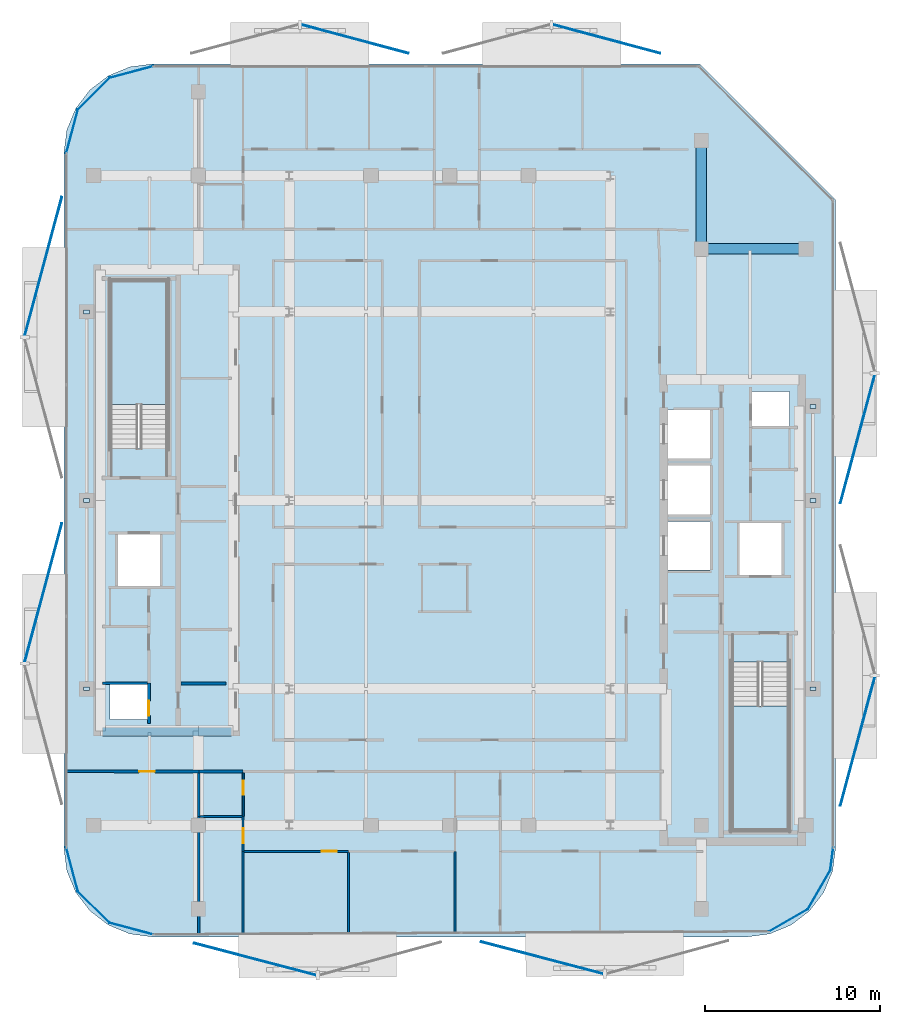
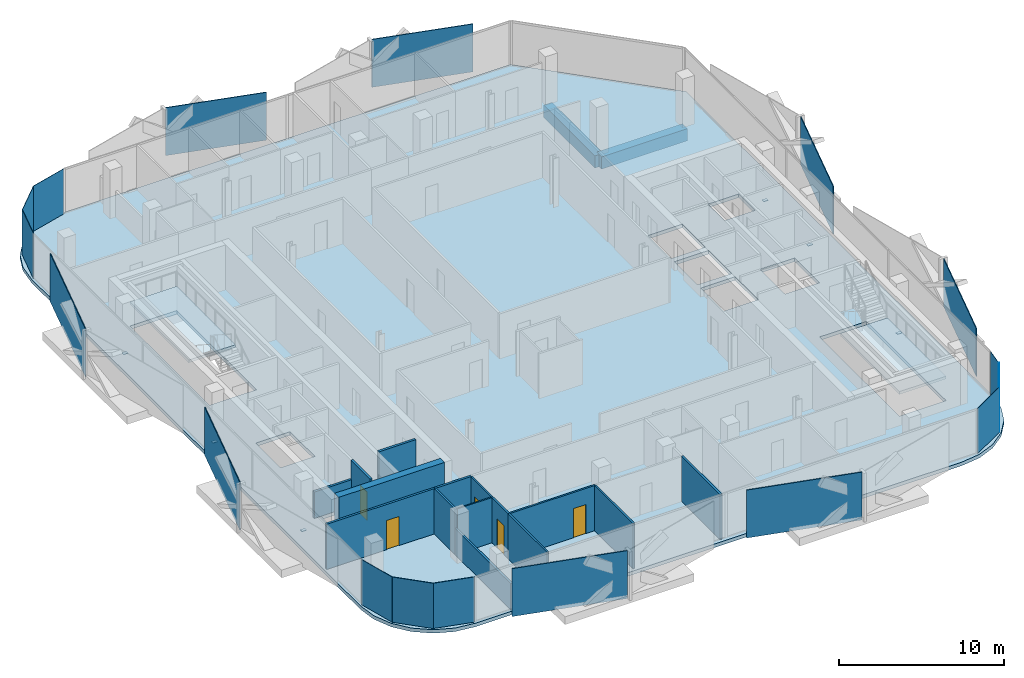
# One storey, part 2 of 16: 23 plates, 15 walls, 5 doors, 3 slabs, 2 beams, 5 openings, 2 elements without a shape of their own.
"""IFC4 building model written with IfcOpenShell, lengths in metres."""

from ifc_helpers import new_model, si_unit, direction, frame, frame_2d, origin, origin_2d, place, context, subcontext, project, spatial, polyline, rectangle, outline, extrude, material, layer, layer_set, material_profile, profile_set, type_object, element, fill, aggregate, save


model = new_model("IFC4")

# Units and contexts
model_context = context("Model", 3, precision=1e-05, world=origin(), true_north=direction((0.0, 1.0)))
body_context = subcontext(model_context, "Body", "Model", "MODEL_VIEW")
ifc_project = project(units=[si_unit("LENGTHUNIT", "METRE"), si_unit("AREAUNIT", "SQUARE_METRE"), si_unit("VOLUMEUNIT", "CUBIC_METRE"), si_unit("PLANEANGLEUNIT", "RADIAN"), si_unit("MASSUNIT", "GRAM", prefix="KILO")], contexts=[model_context])

# Site, building, storey
site_placement = place(None, origin())
site = spatial("IfcSite", under=ifc_project, at=site_placement, CompositionType="ELEMENT")
building_placement = place(site_placement, origin())
building = spatial("IfcBuilding", under=site, at=building_placement, Name="Khairoan Windgate Tower", CompositionType="ELEMENT")
storey_placement = place(building_placement, frame((0.0, 0.0, 258.39990234375)))
storey = spatial("IfcBuildingStorey", under=building, at=storey_placement, Name="L61", CompositionType="ELEMENT", Elevation=258.39990234375)

# Beams
ifc_material_1 = material(Name="Concrete C50/60", Category="concrete")
ifc_material_profile = material_profile(ifc_material_1, rectangle(XDim=0.60009765625, YDim=0.89990234375, at=origin_2d()))
ifc_profile_set = profile_set([ifc_material_profile], Name="Concrete C50/60")
beam_type = type_object("IfcBeamType", Name="Beam B-RC1 RC600x900", PredefinedType="BEAM", material=ifc_profile_set)
beam_1_placement = place(storey_placement, frame((14.39990234375, 14.39990234375, -0.7099609375), z_axis=(1.0, 0.0, 0.0), x_axis=(0.0, 1.0, 0.0)))
element("IfcBeam", 1, at=beam_1_placement, inside=storey, type_object=beam_type, Name="L61 E-W Primary Girder 21", PredefinedType="BEAM", context=body_context, shape_type="SweptSolid", body=[
    extrude(rectangle(XDim=0.60009765625, YDim=0.89990234375, at=origin_2d()), origin(), (0.0, 0.0, 1.0), 6.0),
])
beam_2_placement = place(storey_placement, frame((14.39990234375, 14.39990234375, -0.7099609375), z_axis=(0.0, 1.0, 0.0), x_axis=(-1.0, 0.0, 0.0)))
element("IfcBeam", 2, at=beam_2_placement, inside=storey, type_object=beam_type, Name="L61 N-S Primary Beam 53", PredefinedType="BEAM", context=body_context, shape_type="SweptSolid", body=[
    extrude(rectangle(XDim=0.60009765625, YDim=0.89990234375, at=origin_2d()), origin(), (0.0, 0.0, 1.0), 6.2001953125),
])

# Plates
ifc_material_2 = material(Name="Low-E Solar Control Laminated Glass", Category="glass")
ifc_layer_1 = layer(ifc_material_2, 0.030029296875, Name="Low-E Solar Control Laminated Glass")
ifc_layer_set_1 = layer_set([ifc_layer_1], Name="Low-E Solar Control Laminated Glass")
plate_type_1 = type_object("IfcPlateType", Name="Aerodynamic Wind-Corner Curved Glazing Plate", PredefinedType="USERDEFINED", material=ifc_layer_set_1)
plate_1_placement = place(storey_placement, frame((-18.235107421875, -24.527099609375, 0.0), z_axis=(0.0, 0.0, 1.0), x_axis=(-0.966061211211, 0.258313252067, 0.0)))
element("IfcPlate", 3, at=plate_1_placement, inside=storey, type_object=plate_type_1, Name="L61 Aerodynamic Wind-Corner Curved Glazing Panel 2", ObjectType="GLAZING PANEL", PredefinedType="USERDEFINED", context=body_context, shape_type="SweptSolid", body=[
    extrude(rectangle(XDim=2.6162109375, YDim=0.030029296875, at=origin_2d()), origin(), (0.0, 0.0, 1.0), 3.340087890625),
])
plate_2_placement = place(storey_placement, frame((-20.386962890625, -23.286865234375, 0.0), z_axis=(0.0, 0.0, 1.0), x_axis=(-0.707106781187, 0.707106781187, 0.0)))
element("IfcPlate", 4, at=plate_2_placement, inside=storey, type_object=plate_type_1, Name="L61 Aerodynamic Wind-Corner Curved Glazing Panel 3", ObjectType="GLAZING PANEL", PredefinedType="USERDEFINED", context=body_context, shape_type="SweptSolid", body=[
    extrude(rectangle(XDim=2.606689453125, YDim=0.030029296875, at=origin_2d()), origin(), (0.0, 0.0, 1.0), 3.340087890625),
])
for number, where, z_axis, x_axis, name in (
    (5, (-21.627197265625, -21.135009765625, 0.0), (0.0, 0.0, 1.0), (-0.258313252067, 0.966061211211, 0.0), "L61 Aerodynamic Wind-Corner Curved Glazing Panel 4"),
    (6, (-21.627197265625, 21.135009765625, 0.0), (0.0, 0.0, 1.0), (0.258313252067, 0.966061211211, 0.0), "L61 Aerodynamic Wind-Corner Curved Glazing Panel 6"),
):
    element("IfcPlate", number, at=place(storey_placement, frame(where, z_axis=z_axis, x_axis=x_axis)), inside=storey, type_object=plate_type_1, Name=name, ObjectType="GLAZING PANEL", PredefinedType="USERDEFINED", context=body_context, shape_type="SweptSolid", body=[
        extrude(rectangle(XDim=2.6162109375, YDim=0.030029296875, at=origin_2d()), origin(), (0.0, 0.0, 1.0), 3.340087890625),
    ])
plate_3_placement = place(storey_placement, frame((-20.386962890625, 23.286865234375, 0.0), z_axis=(0.0, 0.0, 1.0), x_axis=(0.707106781187, 0.707106781187, 0.0)))
element("IfcPlate", 7, at=plate_3_placement, inside=storey, type_object=plate_type_1, Name="L61 Aerodynamic Wind-Corner Curved Glazing Panel 7", ObjectType="GLAZING PANEL", PredefinedType="USERDEFINED", context=body_context, shape_type="SweptSolid", body=[
    extrude(rectangle(XDim=2.606689453125, YDim=0.030029296875, at=origin_2d()), origin(), (0.0, 0.0, 1.0), 3.340087890625),
])
plate_4_placement = place(storey_placement, frame((-18.235107421875, 24.527099609375, 0.0), z_axis=(0.0, 0.0, 1.0), x_axis=(0.966061211211, 0.258313252067, 0.0)))
element("IfcPlate", 8, at=plate_4_placement, inside=storey, type_object=plate_type_1, Name="L61 Aerodynamic Wind-Corner Curved Glazing Panel 8", ObjectType="GLAZING PANEL", PredefinedType="USERDEFINED", context=body_context, shape_type="SweptSolid", body=[
    extrude(rectangle(XDim=2.6162109375, YDim=0.030029296875, at=origin_2d()), origin(), (0.0, 0.0, 1.0), 3.340087890625),
])
plate_5_placement = place(storey_placement, frame((21.875, -20.537109375, 0.0), z_axis=(0.0, 0.0, 1.0), x_axis=(-0.13052619222, -0.991444861374, 0.0)))
element("IfcPlate", 9, at=plate_5_placement, inside=storey, type_object=plate_type_1, Name="L61 Aerodynamic Wind-Corner Curved Glazing Panel 12", ObjectType="GLAZING PANEL", PredefinedType="USERDEFINED", context=body_context, shape_type="SweptSolid", body=[
    extrude(rectangle(XDim=1.343994140625, YDim=0.030029296875, at=origin_2d()), origin(), (0.0, 0.0, 1.0), 3.340087890625),
])
for number, where, z_axis, x_axis, name in (
    (10, (21.148193359375, -22.294921875, 0.0), (0.0, 0.0, 1.0), (-0.5, -0.866025403784, 0.0), "L61 Aerodynamic Wind-Corner Curved Glazing Panel 13"),
    (11, (19.39501953125, -24.048095703125, 0.0), (0.0, 0.0, 1.0), (-0.866025403784, -0.5, 0.0), "L61 Aerodynamic Wind-Corner Curved Glazing Panel 14"),
):
    element("IfcPlate", number, at=place(storey_placement, frame(where, z_axis=z_axis, x_axis=x_axis)), inside=storey, type_object=plate_type_1, Name=name, ObjectType="GLAZING PANEL", PredefinedType="USERDEFINED", context=body_context, shape_type="SweptSolid", body=[
        extrude(rectangle(XDim=2.606689453125, YDim=0.030029296875, at=origin_2d()), origin(), (0.0, 0.0, 1.0), 3.340087890625),
    ])
ifc_material_3 = material(Name="Steel S355", Category="steel")
ifc_layer_2 = layer(ifc_material_3, 0.0400390625, Name="Steel S355")
ifc_layer_set_2 = layer_set([ifc_layer_2], Name="Steel S355")
plate_type_2 = type_object("IfcPlateType", Name="Hollow Section End-Cap Plate PL-CAP40", PredefinedType="SHEET", material=ifc_layer_set_2)
for number, where, z_axis, x_axis, name in (
    (12, (-20.800048828125, -10.784912109375, -0.429931640625), (0.0, 0.0, 1.0), (0.0, 1.0, 0.0), "BM-SP-L61-028 steel end-cap plate 1"),
    (13, (-20.800048828125, -0.014892578125, -0.429931640625), (0.0, 0.0, 1.0), (0.0, 1.0, 0.0), "BM-SP-L61-028 steel end-cap plate 2"),
    (14, (-20.800048828125, 10.784912109375, -0.429931640625), (0.0, 0.0, 1.0), (0.0, 1.0, 0.0), "BM-SP-L61-029 steel end-cap plate 2"),
    (15, (20.800048828125, -10.784912109375, -0.429931640625), (0.0, 0.0, 1.0), (0.0, 1.0, 0.0), "BM-SP-L61-057 steel end-cap plate 1"),
    (16, (20.800048828125, -0.014892578125, -0.429931640625), (0.0, 0.0, 1.0), (0.0, 1.0, 0.0), "BM-SP-L61-057 steel end-cap plate 2"),
    (17, (20.800048828125, 5.385009765625, -0.429931640625), (0.0, 0.0, 1.0), (0.0, 1.0, 0.0), "BM-SP-L61-058 steel end-cap plate 2"),
):
    element("IfcPlate", number, at=place(storey_placement, frame(where, z_axis=z_axis, x_axis=x_axis)), inside=storey, type_object=plate_type_2, Name=name, PredefinedType="SHEET", context=body_context, shape_type="SweptSolid", body=[
        extrude(rectangle(XDim=0.219970703125, YDim=0.320068359375, at=origin_2d()), origin(), (0.0, 0.0, 1.0), 0.0400390625),
    ])
ifc_material_4 = material(Name="Anodised Bronze Aluminium 6063-T6", Category="aluminium")
ifc_layer_3 = layer(ifc_material_4, 0.054931640625, Name="Anodised Bronze Aluminium 6063-T6")
ifc_layer_set_3 = layer_set([ifc_layer_3], Name="Anodised Bronze Aluminium 6063-T6")
plate_type_3 = type_object("IfcPlateType", Name="Perforated Bronze Solar Screen Upper Panel BSP-2", PredefinedType="USERDEFINED", material=ifc_layer_set_3)
for number, where, z_axis, x_axis, name in (
    (18, (5.289306640625, -26.196533203125, -0.099853515625), (0.0, 0.0, 1.0), (-0.967179115616, 0.254095569259, 0.0), "L61 Perforated Bronze Solar Screen Panel 417R"),
    (19, (-11.14794921875, -26.27587890625, -0.099853515625), (0.0, 0.0, 1.0), (-0.967179115616, 0.254095569259, 0.0), "L61 Perforated Bronze Solar Screen Panel 418R"),
):
    element("IfcPlate", number, at=place(storey_placement, frame(where, z_axis=z_axis, x_axis=x_axis)), inside=storey, type_object=plate_type_3, Name=name, ObjectType="SCREEN", PredefinedType="USERDEFINED", context=body_context, shape_type="SweptSolid", body=[
        extrude(rectangle(XDim=7.23193359375, YDim=0.054931640625, at=origin_2d()), origin(), (0.0, 0.0, 1.0), 3.5400390625),
    ])
for number, where, z_axis, x_axis, name in (
    (20, (-23.275634765625, -5.283447265625, -0.099853515625), (0.0, 0.0, 1.0), (0.258819045103, 0.965925826289, 0.0), "L61 Perforated Bronze Solar Screen Panel 419R"),
    (21, (-23.275634765625, 13.4072265625, -0.099853515625), (0.0, 0.0, 1.0), (0.258819045103, 0.965925826289, 0.0), "L61 Perforated Bronze Solar Screen Panel 420R"),
):
    element("IfcPlate", number, at=place(storey_placement, frame(where, z_axis=z_axis, x_axis=x_axis)), inside=storey, type_object=plate_type_3, Name=name, ObjectType="SCREEN", PredefinedType="USERDEFINED", context=body_context, shape_type="SweptSolid", body=[
        extrude(rectangle(XDim=8.22412109375, YDim=0.054931640625, at=origin_2d()), origin(), (0.0, 0.0, 1.0), 3.5400390625),
    ])
for number, where, z_axis, x_axis, name in (
    (22, (-5.42919921875, 26.419189453125, -0.099853515625), (0.0, 0.0, 1.0), (0.965925826289, -0.258819045103, 0.0), "L61 Perforated Bronze Solar Screen Panel 421R"),
    (23, (8.9873046875, 26.419189453125, -0.099853515625), (0.0, 0.0, 1.0), (0.965925826289, -0.258819045103, 0.0), "L61 Perforated Bronze Solar Screen Panel 422R"),
):
    element("IfcPlate", number, at=place(storey_placement, frame(where, z_axis=z_axis, x_axis=x_axis)), inside=storey, type_object=plate_type_3, Name=name, ObjectType="SCREEN", PredefinedType="USERDEFINED", context=body_context, shape_type="SweptSolid", body=[
        extrude(rectangle(XDim=6.343017578125, YDim=0.054931640625, at=origin_2d()), origin(), (0.0, 0.0, 1.0), 3.5400390625),
    ])
for number, where, z_axis, x_axis, name in (
    (24, (23.35400390625, 3.51416015625, -0.099853515625), (0.0, 0.0, 1.0), (-0.258819045103, -0.965925826289, 0.0), "L61 Perforated Bronze Solar Screen Panel 423R"),
    (25, (23.35400390625, -13.80224609375, -0.099853515625), (0.0, 0.0, 1.0), (-0.258819045103, -0.965925826289, 0.0), "L61 Perforated Bronze Solar Screen Panel 424R"),
):
    element("IfcPlate", number, at=place(storey_placement, frame(where, z_axis=z_axis, x_axis=x_axis)), inside=storey, type_object=plate_type_3, Name=name, ObjectType="SCREEN", PredefinedType="USERDEFINED", context=body_context, shape_type="SweptSolid", body=[
        extrude(rectangle(XDim=7.618896484375, YDim=0.054931640625, at=origin_2d()), origin(), (0.0, 0.0, 1.0), 3.5400390625),
    ])

# Stair, slab
ifc_material_5 = material(Name="Concrete C40/50", Category="concrete")
stair_type = type_object("IfcStairType", Name="Tower Core Dog-Leg Stair ST-T1 1560mm", PredefinedType="HALF_TURN_STAIR", material=ifc_material_5)
stair_1_placement = place(storey_placement, origin())
stair_1 = element("IfcStair", 26, at=stair_1_placement, inside=storey, type_object=stair_type, Name="L61 Stair ST1", PredefinedType="HALF_TURN_STAIR")
ifc_material_6 = material(Name="Concrete C40/50", Category="concrete")
ifc_layer_4 = layer(ifc_material_6, 0.199951171875, Name="Concrete C40/50")
ifc_layer_set_4 = layer_set([ifc_layer_4], Name="Concrete C40/50")
slab_type_1 = type_object("IfcSlabType", Name="Reinforced Concrete Stair Landing Slab STL-200", PredefinedType="LANDING", material=ifc_layer_set_4)
slab_1_placement = place(storey_placement, frame((0.0, 0.0, 1.60009765625)))
slab_1 = element("IfcSlab", 27, at=slab_1_placement, type_object=slab_type_1, Name="ST1 landing 1", PredefinedType="LANDING", context=body_context, shape_type="SweptSolid", body=[
    extrude(outline(polyline([(16.14990234375, -11.780029296875), (16.14990234375, -18.89990234375), (19.419921875, -18.89990234375), (19.419921875, -11.780029296875), (16.14990234375, -11.780029296875)])), origin(), (0.0, 0.0, 1.0), 0.199951171875),
])
aggregate(stair_1, [slab_1])

stair_2_placement = place(storey_placement, origin())
stair_2 = element("IfcStair", 28, at=stair_2_placement, inside=storey, type_object=stair_type, Name="L61 Stair ST2", PredefinedType="HALF_TURN_STAIR")
slab_2_placement = place(storey_placement, frame((0.0, 0.0, 1.60009765625)))
slab_2 = element("IfcSlab", 29, at=slab_2_placement, type_object=slab_type_1, Name="ST2 landing 1", PredefinedType="LANDING", context=body_context, shape_type="SweptSolid", body=[
    extrude(outline(polyline([(-16.14990234375, 5.47998046875), (-16.14990234375, 12.60009765625), (-19.419921875, 12.60009765625), (-19.419921875, 5.47998046875), (-16.14990234375, 5.47998046875)])), origin(), (0.0, 0.0, 1.0), 0.199951171875),
])
aggregate(stair_2, [slab_2])

# Slab
ifc_material_7 = material(Name="Concrete C40/50", Category="concrete")
ifc_layer_5 = layer(ifc_material_7, 0.260009765625, Name="Concrete C40/50")
ifc_layer_set_5 = layer_set([ifc_layer_5], Name="Concrete C40/50")
slab_type_2 = type_object("IfcSlabType", Name="Tower Composite Floor Slab FS2 260mm", PredefinedType="FLOOR", material=ifc_layer_set_5)
slab_3_placement = place(storey_placement, frame((0.0, 0.0, -0.260009765625)))
element("IfcSlab", 30, at=slab_3_placement, inside=storey, type_object=slab_type_2, Name="L61 Structural Floor Slab", PredefinedType="FLOOR", context=body_context, shape_type="SweptSolid", body=[
    extrude(outline(polyline([(17.0, -25.0), (18.320068359375, -24.826171875), (19.550048828125, -24.316650390625), (20.606201171875, -23.506103515625), (21.416748046875, -22.449951171875), (21.92626953125, -21.219970703125), (22.10009765625, -19.89990234375), (22.10009765625, 17.199951171875), (14.300048828125, 25.0), (-17.0, 25.0), (-18.320068359375, 24.826171875), (-19.550048828125, 24.316650390625), (-20.606201171875, 23.506103515625), (-21.416748046875, 22.449951171875), (-21.92626953125, 21.219970703125), (-22.10009765625, 19.89990234375), (-22.10009765625, -19.89990234375), (-21.92626953125, -21.219970703125), (-21.416748046875, -22.449951171875), (-20.606201171875, -23.506103515625), (-19.550048828125, -24.316650390625), (-18.320068359375, -24.826171875), (-17.0, -25.0), (17.0, -25.0)]), holes=[polyline([(16.14990234375, -9.260009765625), (16.14990234375, -18.89990234375), (19.419921875, -18.89990234375), (19.419921875, -9.260009765625), (16.14990234375, -9.260009765625)]), polyline([(-16.14990234375, 2.9599609375), (-16.14990234375, 12.60009765625), (-19.419921875, 12.60009765625), (-19.419921875, 2.9599609375), (-16.14990234375, 2.9599609375)]), polyline([(12.5, 2.39990234375), (14.89990234375, 2.39990234375), (14.89990234375, 5.199951171875), (12.5, 5.199951171875), (12.5, 2.39990234375)]), polyline([(12.5, -0.800048828125), (14.89990234375, -0.800048828125), (14.89990234375, 2.0), (12.5, 2.0), (12.5, -0.800048828125)]), polyline([(12.5, -4.0), (14.89990234375, -4.0), (14.89990234375, -1.199951171875), (12.5, -1.199951171875), (12.5, -4.0)]), polyline([(16.60009765625, -4.300048828125), (19.0, -4.300048828125), (19.0, -1.300048828125), (16.60009765625, -1.300048828125), (16.60009765625, -4.300048828125)]), polyline([(-19.0, -4.89990234375), (-16.60009765625, -4.89990234375), (-16.60009765625, -1.89990234375), (-19.0, -1.89990234375), (-19.0, -4.89990234375)]), polyline([(-19.449951171875, -12.550048828125), (-17.31005859375, -12.550048828125), (-17.31005859375, -10.550048828125), (-19.449951171875, -10.550048828125), (-19.449951171875, -12.550048828125)]), polyline([(17.31005859375, 4.25), (19.449951171875, 4.25), (19.449951171875, 6.25), (17.31005859375, 6.25), (17.31005859375, 4.25)])]), origin(), (0.0, 0.0, 1.0), 0.260009765625),
])

# Wall
ifc_material_8 = material(Name="Moisture-Resistant Gypsum Partition", Category="gypsum")
ifc_layer_6 = layer(ifc_material_8, 0.10009765625, Name="Moisture-Resistant Gypsum Partition")
ifc_layer_set_6 = layer_set([ifc_layer_6], Name="Moisture-Resistant Gypsum Partition")
wall_type_1 = type_object("IfcWallType", Name="Bathroom Wet-Area Partition Wall", PredefinedType="PARTITIONING", material=ifc_layer_set_6)
wall_1_placement = place(storey_placement, frame((-14.300048828125, -18.10009765625, 0.0), z_axis=(0.0, 0.0, 1.0), x_axis=(1.0, 0.0, 0.0)))
element("IfcWall", 31, at=wall_1_placement, inside=storey, type_object=wall_type_1, Name="L61 Interior Partition 061", PredefinedType="PARTITIONING", context=body_context, shape_type="SweptSolid", body=[
    extrude(rectangle(XDim=2.420166015625, YDim=0.10009765625, at=frame_2d((1.2099609375, 0.0))), origin(), (0.0, 0.0, 1.0), 3.340087890625),
])

# Wall, opening, door
wall_2_placement = place(storey_placement, frame((-11.830078125, -18.10009765625, 0.0), z_axis=(0.0, 0.0, 1.0), x_axis=(0.0, 1.0, 0.0)))
wall_2 = element("IfcWall", 32, at=wall_2_placement, inside=storey, type_object=wall_type_1, Name="L61 Interior Partition 062", PredefinedType="PARTITIONING", context=body_context, shape_type="SweptSolid", body=[
    extrude(rectangle(XDim=2.5, YDim=0.10009765625, at=frame_2d((1.25, 0.0))), origin(), (0.0, 0.0, 1.0), 3.340087890625),
])
opening_1_placement = place(wall_2_placement, frame((1.239990234375, 0.0, 0.0)))
opening_1 = element("IfcOpeningElement", 33, at=opening_1_placement, cuts=wall_2, Name="Opening ID-BTH", PredefinedType="OPENING", context=body_context, shape_type="SweptSolid", body=[
    extrude(rectangle(XDim=0.800048828125, YDim=2.10009765625, at=frame_2d((0.39990234375, 1.050048828125))), frame((0.0, 0.06005859375, 0.0), z_axis=(0.0, -1.0, 0.0), x_axis=(1.0, 0.0, 0.0)), (0.0, 0.0, 1.0), 0.1201171875),
])
ifc_material_9 = material(Name="Teak Veneer Timber Leaf", Category="wood")
door_type_1 = type_object("IfcDoorType", Name="Internal Bathroom Door ID-BTH 800x2100", OperationType="NOTDEFINED", PredefinedType="DOOR", material=ifc_material_9)
door_1_placement = place(opening_1_placement, origin())
door_1 = element("IfcDoor", 34, at=door_1_placement, inside=storey, type_object=door_type_1, Name="L61 L61-44-L61-46 Door", OperationType="SINGLE_SWING_LEFT", OverallHeight=2.10009765625, OverallWidth=0.800048828125, PredefinedType="DOOR", context=body_context, shape_type="SweptSolid", body=[
    extrude(rectangle(XDim=0.800048828125, YDim=2.10009765625, at=frame_2d((0.39990234375, 1.050048828125))), frame((0.0, 0.02490234375, 0.0), z_axis=(0.0, -1.0, 0.0), x_axis=(1.0, 0.0, 0.0)), (0.0, 0.0, 1.0), 0.050048828125),
])
fill(opening_1, door_1)

# Walls
ifc_material_10 = material(Name="Concrete C40/50", Category="concrete")
ifc_layer_7 = layer(ifc_material_10, 0.159912109375, Name="Concrete C40/50")
ifc_layer_set_7 = layer_set([ifc_layer_7], Name="Concrete C40/50")
wall_type_2 = type_object("IfcWallType", Name="Core and Hoistway Enclosure Wall", PredefinedType="STANDARD", material=ifc_layer_set_7)
wall_3_placement = place(storey_placement, frame((-15.39990234375, -10.47998046875, 0.0), z_axis=(0.0, 0.0, 1.0), x_axis=(1.0, 0.0, 0.0)))
element("IfcWall", 35, at=wall_3_placement, inside=storey, type_object=wall_type_2, Name="L61 Core Shaft Wall SW-WSV-L61", PredefinedType="STANDARD", context=body_context, shape_type="SweptSolid", body=[
    extrude(rectangle(XDim=2.599853515625, YDim=0.159912109375, at=frame_2d((1.2998046875, 0.0))), origin(), (0.0, 0.0, 1.0), 3.340087890625),
])
ifc_material_11 = material(Name="Acoustic Fire-Rated Gypsum Partition", Category="gypsum")
ifc_layer_8 = layer(ifc_material_11, 0.139892578125, Name="Acoustic Fire-Rated Gypsum Partition")
ifc_layer_set_8 = layer_set([ifc_layer_8], Name="Acoustic Fire-Rated Gypsum Partition")
wall_type_3 = type_object("IfcWallType", Name="Inter-Tenancy Compartment Wall", PredefinedType="PARTITIONING", material=ifc_layer_set_8)
wall_4_placement = place(storey_placement, frame((-14.3701171875, -18.10009765625, 0.0), z_axis=(0.0, 0.0, 1.0), x_axis=(0.0, 1.0, 0.0)))
element("IfcWall", 36, at=wall_4_placement, inside=storey, type_object=wall_type_3, Name="L61 Interior Partition 063", PredefinedType="PARTITIONING", context=body_context, shape_type="SweptSolid", body=[
    extrude(rectangle(XDim=2.5, YDim=0.139892578125, at=frame_2d((1.25, 0.0))), origin(), (0.0, 0.0, 1.0), 3.340087890625),
])
wall_5_placement = place(storey_placement, frame((-14.3701171875, -24.84228515625, 0.0), z_axis=(0.0, 0.0, 1.0), x_axis=(0.0, 1.0, 0.0)))
element("IfcWall", 37, at=wall_5_placement, inside=storey, type_object=wall_type_3, Name="L61 Interior Partition 066", PredefinedType="PARTITIONING", context=body_context, shape_type="SweptSolid", body=[
    extrude(rectangle(XDim=6.7421875, YDim=0.139892578125, at=frame_2d((3.37109375, 0.0))), origin(), (0.0, 0.0, 1.0), 1.940185546875),
])
wall_6_placement = place(storey_placement, frame((0.300048828125, -24.771484375, 0.0), z_axis=(0.0, 0.0, 1.0), x_axis=(0.0, 1.0, 0.0)))
element("IfcWall", 38, at=wall_6_placement, inside=storey, type_object=wall_type_3, Name="L61 Interior Partition 072", PredefinedType="PARTITIONING", context=body_context, shape_type="SweptSolid", body=[
    extrude(rectangle(XDim=4.67138671875, YDim=0.139892578125, at=frame_2d((2.335693359375, 0.0))), origin(), (0.0, 0.0, 1.0), 3.340087890625),
])

# Wall, opening, door
ifc_material_12 = material(Name="Gypsum Stud Partition", Category="gypsum")
ifc_layer_9 = layer(ifc_material_12, 0.1201171875, Name="Gypsum Stud Partition")
ifc_layer_set_9 = layer_set([ifc_layer_9], Name="Gypsum Stud Partition")
wall_type_4 = type_object("IfcWallType", Name="Internal Room Partition Wall", PredefinedType="PARTITIONING", material=ifc_layer_set_9)
wall_7_placement = place(storey_placement, frame((-11.830078125, -20.10009765625, 0.0), z_axis=(0.0, 0.0, 1.0), x_axis=(0.0, 1.0, 0.0)))
wall_7 = element("IfcWall", 39, at=wall_7_placement, inside=storey, type_object=wall_type_4, Name="L61 Interior Partition 064", PredefinedType="PARTITIONING", context=body_context, shape_type="SweptSolid", body=[
    extrude(rectangle(XDim=2.0, YDim=0.1201171875, at=frame_2d((1.0, 0.0))), origin(), (0.0, 0.0, 1.0), 3.340087890625),
])
opening_2_placement = place(wall_7_placement, frame((0.4599609375, 0.0, 0.0)))
opening_2 = element("IfcOpeningElement", 40, at=opening_2_placement, cuts=wall_7, Name="Opening ID-RM", PredefinedType="OPENING", context=body_context, shape_type="SweptSolid", body=[
    extrude(rectangle(XDim=0.860107421875, YDim=2.14990234375, at=frame_2d((0.43017578125, 1.074951171875))), frame((0.0, 0.070068359375, 0.0), z_axis=(0.0, -1.0, 0.0), x_axis=(1.0, 0.0, 0.0)), (0.0, 0.0, 1.0), 0.14013671875),
])
ifc_material_13 = material(Name="Teak Veneer Timber Leaf", Category="wood")
door_type_2 = type_object("IfcDoorType", Name="Internal Bedroom and Office Door ID-RM 860x2150", OperationType="NOTDEFINED", PredefinedType="DOOR", material=ifc_material_13)
door_2_placement = place(opening_2_placement, origin())
door_2 = element("IfcDoor", 41, at=door_2_placement, inside=storey, type_object=door_type_2, Name="L61 L61-45-L61-46 Door", OperationType="SINGLE_SWING_RIGHT", OverallHeight=2.14990234375, OverallWidth=0.860107421875, PredefinedType="DOOR", context=body_context, shape_type="SweptSolid", body=[
    extrude(rectangle(XDim=0.860107421875, YDim=2.14990234375, at=frame_2d((0.43017578125, 1.074951171875))), frame((0.0, 0.02490234375, 0.0), z_axis=(0.0, -1.0, 0.0), x_axis=(1.0, 0.0, 0.0)), (0.0, 0.0, 1.0), 0.050048828125),
])
fill(opening_2, door_2)

# Wall
wall_8_placement = place(storey_placement, frame((-11.830078125, -24.830078125, 0.0), z_axis=(0.0, 0.0, 1.0), x_axis=(0.0, 1.0, 0.0)))
element("IfcWall", 42, at=wall_8_placement, inside=storey, type_object=wall_type_4, Name="L61 Interior Partition 065", PredefinedType="PARTITIONING", context=body_context, shape_type="SweptSolid", body=[
    extrude(rectangle(XDim=4.72998046875, YDim=0.1201171875, at=frame_2d((2.364990234375, 0.0))), origin(), (0.0, 0.0, 1.0), 3.340087890625),
])

# Wall, opening, door
wall_9_placement = place(storey_placement, frame((-11.77001953125, -20.10009765625, 0.0), z_axis=(0.0, 0.0, 1.0), x_axis=(1.0, 0.0, 0.0)))
wall_9 = element("IfcWall", 43, at=wall_9_placement, inside=storey, type_object=wall_type_4, Name="L61 Interior Partition 067", PredefinedType="PARTITIONING", context=body_context, shape_type="SweptSolid", body=[
    extrude(rectangle(XDim=5.965087890625, YDim=0.1201171875, at=frame_2d((2.982421875, 0.0))), origin(), (0.0, 0.0, 1.0), 3.340087890625),
])
opening_3_placement = place(wall_9_placement, frame((4.435791015625, 0.0, 0.0)))
opening_3 = element("IfcOpeningElement", 44, at=opening_3_placement, cuts=wall_9, Name="Opening ID-RM", PredefinedType="OPENING", context=body_context, shape_type="SweptSolid", body=[
    extrude(rectangle(XDim=0.860107421875, YDim=2.14990234375, at=frame_2d((0.43017578125, 1.074951171875))), frame((0.0, 0.070068359375, 0.0), z_axis=(0.0, -1.0, 0.0), x_axis=(1.0, 0.0, 0.0)), (0.0, 0.0, 1.0), 0.14013671875),
])
door_3_placement = place(opening_3_placement, origin())
door_3 = element("IfcDoor", 45, at=door_3_placement, inside=storey, type_object=door_type_2, Name="L61 L61-46-L61-47 Door", OperationType="SINGLE_SWING_LEFT", OverallHeight=2.14990234375, OverallWidth=0.860107421875, PredefinedType="DOOR", context=body_context, shape_type="SweptSolid", body=[
    extrude(rectangle(XDim=0.860107421875, YDim=2.14990234375, at=frame_2d((0.43017578125, 1.074951171875))), frame((0.0, 0.02490234375, 0.0), z_axis=(0.0, -1.0, 0.0), x_axis=(1.0, 0.0, 0.0)), (0.0, 0.0, 1.0), 0.050048828125),
])
fill(opening_3, door_3)

# Wall
wall_10_placement = place(storey_placement, frame((-5.804931640625, -24.801025390625, 0.0), z_axis=(0.0, 0.0, 1.0), x_axis=(0.0, 1.0, 0.0)))
element("IfcWall", 46, at=wall_10_placement, inside=storey, type_object=wall_type_4, Name="L61 Interior Partition 071", PredefinedType="PARTITIONING", context=body_context, shape_type="SweptSolid", body=[
    extrude(rectangle(XDim=4.64111328125, YDim=0.1201171875, at=frame_2d((2.320556640625, 0.0))), origin(), (0.0, 0.0, 1.0), 3.340087890625),
])

# Wall, opening, door
ifc_material_14 = material(Name="Concrete C40/50", Category="concrete")
ifc_layer_10 = layer(ifc_material_14, 0.159912109375, Name="Concrete C40/50")
ifc_layer_set_10 = layer_set([ifc_layer_10], Name="Concrete C40/50")
wall_type_5 = type_object("IfcWallType", Name="Plant and Refuge Compartment Wall", PredefinedType="PARTITIONING", material=ifc_layer_set_10)
wall_11_placement = place(storey_placement, frame((-17.22998046875, -12.7900390625, 0.0), z_axis=(0.0, 0.0, 1.0), x_axis=(0.0, 1.0, 0.0)))
wall_11 = element("IfcWall", 47, at=wall_11_placement, inside=storey, type_object=wall_type_5, Name="L61 Interior Partition 001", PredefinedType="PARTITIONING", context=body_context, shape_type="SweptSolid", body=[
    extrude(rectangle(XDim=2.320068359375, YDim=0.159912109375, at=frame_2d((1.16015625, 0.0))), origin(), (0.0, 0.0, 1.0), 3.340087890625),
])
opening_4_placement = place(wall_11_placement, frame((0.4599609375, 0.0, 0.0)))
opening_4 = element("IfcOpeningElement", 48, at=opening_4_placement, cuts=wall_11, Name="Opening FD-SRV", PredefinedType="OPENING", context=body_context, shape_type="SweptSolid", body=[
    extrude(rectangle(XDim=0.85009765625, YDim=2.10009765625, at=frame_2d((0.425048828125, 1.050048828125))), frame((0.0, 0.08984375, 0.0), z_axis=(0.0, -1.0, 0.0), x_axis=(1.0, 0.0, 0.0)), (0.0, 0.0, 1.0), 0.179931640625),
])
ifc_material_15 = material(Name="Steel S355", Category="steel")
door_type_3 = type_object("IfcDoorType", Name="Core Service and Riser Fire Door FD-SRV 850x2100", OperationType="NOTDEFINED", PredefinedType="DOOR", material=ifc_material_15)
door_4_placement = place(opening_4_placement, origin())
door_4 = element("IfcDoor", 49, at=door_4_placement, inside=storey, type_object=door_type_3, Name="L61 L61-04-L61-05 Door", OperationType="SINGLE_SWING_RIGHT", OverallHeight=2.10009765625, OverallWidth=0.85009765625, PredefinedType="DOOR", context=body_context, shape_type="SweptSolid", body=[
    extrude(rectangle(XDim=0.85009765625, YDim=2.10009765625, at=frame_2d((0.425048828125, 1.050048828125))), frame((0.0, 0.02490234375, 0.0), z_axis=(0.0, -1.0, 0.0), x_axis=(1.0, 0.0, 0.0)), (0.0, 0.0, 1.0), 0.050048828125),
])
fill(opening_4, door_4)

# Walls
wall_12_placement = place(storey_placement, frame((-19.89990234375, -10.469970703125, 0.0), z_axis=(0.0, 0.0, 1.0), x_axis=(1.0, 0.0, 0.0)))
element("IfcWall", 50, at=wall_12_placement, inside=storey, type_object=wall_type_5, Name="L61 Interior Partition 004", PredefinedType="PARTITIONING", context=body_context, shape_type="SweptSolid", body=[
    extrude(rectangle(XDim=2.58984375, YDim=0.159912109375, at=frame_2d((1.294921875, 0.0))), origin(), (0.0, 0.0, 1.0), 1.940185546875),
])
ifc_material_16 = material(Name="Acoustic Fire-Rated Gypsum Partition", Category="gypsum")
ifc_layer_11 = layer(ifc_material_16, 0.14990234375, Name="Acoustic Fire-Rated Gypsum Partition")
ifc_layer_set_11 = layer_set([ifc_layer_11], Name="Acoustic Fire-Rated Gypsum Partition")
wall_type_6 = type_object("IfcWallType", Name="Rated Corridor Partition Wall", PredefinedType="PARTITIONING", material=ifc_layer_set_11)
wall_13_placement = place(storey_placement, frame((-14.3701171875, -15.52490234375, 0.0), z_axis=(0.0, 0.0, 1.0), x_axis=(1.0, 0.0, 0.0)))
element("IfcWall", 51, at=wall_13_placement, inside=storey, type_object=wall_type_6, Name="L61 Interior Partition 032", PredefinedType="PARTITIONING", context=body_context, shape_type="SweptSolid", body=[
    extrude(rectangle(XDim=2.5400390625, YDim=0.14990234375, at=frame_2d((1.27001953125, 0.0))), origin(), (0.0, 0.0, 1.0), 3.340087890625),
])

# Wall, opening, door
wall_14_placement = place(storey_placement, frame((-21.955078125, -15.52001953125, 0.0), z_axis=(0.0, 0.0, 1.0), x_axis=(0.999999792794, -0.000643749062, 0.0)))
wall_14 = element("IfcWall", 52, at=wall_14_placement, inside=storey, type_object=wall_type_6, Name="L61 Interior Partition 036", PredefinedType="PARTITIONING", context=body_context, shape_type="SweptSolid", body=[
    extrude(rectangle(XDim=7.5849609375, YDim=0.14990234375, at=frame_2d((3.79248046875, 0.0))), origin(), (0.0, 0.0, 1.0), 3.340087890625),
])
opening_5_placement = place(wall_14_placement, frame((4.166015625, 0.0, 0.0)))
opening_5 = element("IfcOpeningElement", 53, at=opening_5_placement, cuts=wall_14, Name="Opening FD-ENT", PredefinedType="OPENING", context=body_context, shape_type="SweptSolid", body=[
    extrude(rectangle(XDim=0.89990234375, YDim=2.14990234375, at=frame_2d((0.449951171875, 1.074951171875))), frame((0.0, 0.0849609375, 0.0), z_axis=(0.0, -1.0, 0.0), x_axis=(1.0, 0.0, 0.0)), (0.0, 0.0, 1.0), 0.169921875),
])
ifc_material_17 = material(Name="Timber Fire-Rated Core", Category="wood")
door_type_4 = type_object("IfcDoorType", Name="Unit and Office Fire Entrance Door FD-ENT 900x2150", OperationType="NOTDEFINED", PredefinedType="DOOR", material=ifc_material_17)
door_5_placement = place(opening_5_placement, origin())
door_5 = element("IfcDoor", 54, at=door_5_placement, inside=storey, type_object=door_type_4, Name="L61 L61-32-L61-56 Door", OperationType="SINGLE_SWING_LEFT", OverallHeight=2.14990234375, OverallWidth=0.89990234375, PredefinedType="DOOR", context=body_context, shape_type="SweptSolid", body=[
    extrude(rectangle(XDim=0.89990234375, YDim=2.14990234375, at=frame_2d((0.449951171875, 1.074951171875))), frame((0.0, 0.02490234375, 0.0), z_axis=(0.0, -1.0, 0.0), x_axis=(1.0, 0.0, 0.0)), (0.0, 0.0, 1.0), 0.050048828125),
])
fill(opening_5, door_5)

# Wall
ifc_material_18 = material(Name="Concrete C50/60", Category="concrete")
ifc_layer_12 = layer(ifc_material_18, 0.5, Name="Concrete C50/60")
ifc_layer_set_12 = layer_set([ifc_layer_12], Name="Concrete C50/60")
wall_type_7 = type_object("IfcWallType", Name="Shear Wall CW-W3 500mm", PredefinedType="SHEAR", material=ifc_layer_set_12)
wall_15_placement = place(storey_placement, frame((-19.89990234375, -13.25, 0.0), z_axis=(0.0, 0.0, 1.0), x_axis=(1.0, 0.0, 0.0)))
element("IfcWall", 55, at=wall_15_placement, inside=storey, type_object=wall_type_7, Name="W Core South Shear Wall L61", PredefinedType="SHEAR", context=body_context, shape_type="SweptSolid", body=[
    extrude(rectangle(XDim=7.39990234375, YDim=0.5, at=frame_2d((3.699951171875, 0.0))), origin(), (0.0, 0.0, 1.0), 3.340087890625),
])

save(model, "model.ifc")
